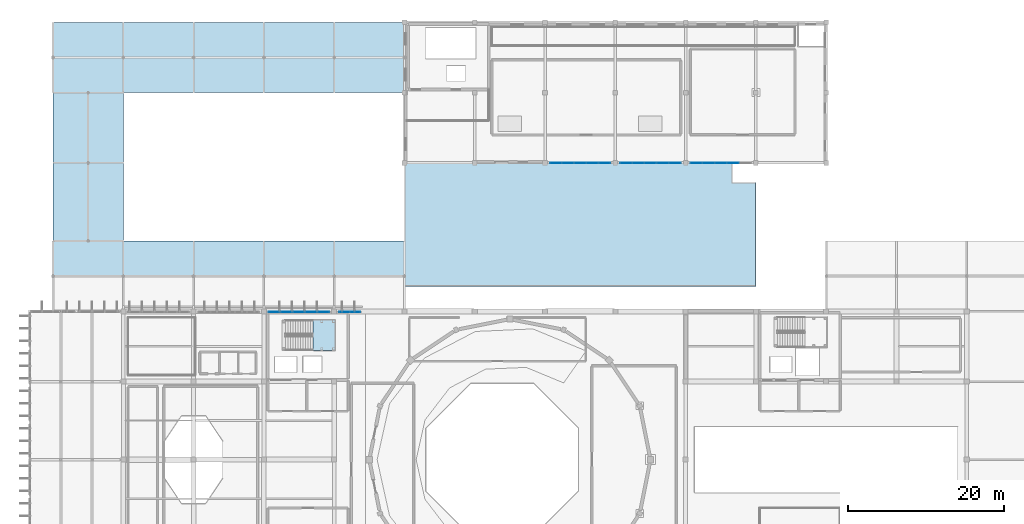
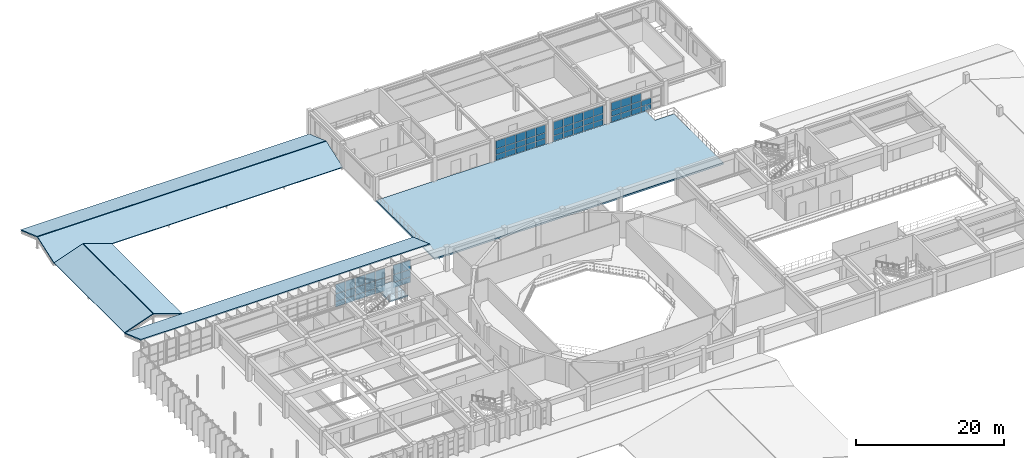
# One storey, part 64 of 80: 62 plates, 7 slabs, 6 elements without a shape of their own.
"""IFC4 building model written with IfcOpenShell, lengths in metres."""

from ifc_helpers import new_model, si_unit, direction, frame, origin, origin_2d, place, context, subcontext, project, spatial, polyline, rectangle, outline, extrude, material, layer, layer_set, type_object, element, aggregate, save


model = new_model("IFC4")

# Units and contexts
model_context = context("Model", 3, precision=1e-05, world=origin(), true_north=direction((0.0, 1.0)))
body_context = subcontext(model_context, "Body", "Model", "MODEL_VIEW")
ifc_project = project(units=[si_unit("LENGTHUNIT", "METRE"), si_unit("AREAUNIT", "SQUARE_METRE"), si_unit("VOLUMEUNIT", "CUBIC_METRE"), si_unit("PLANEANGLEUNIT", "RADIAN"), si_unit("MASSUNIT", "GRAM", prefix="KILO")], contexts=[model_context])

# Site, building, storey
site_placement = place(None, origin())
site = spatial("IfcSite", under=ifc_project, at=site_placement, CompositionType="ELEMENT")
building_placement = place(site_placement, origin())
building = spatial("IfcBuilding", under=site, at=building_placement, Name="Miravela Opera House", CompositionType="ELEMENT")
storey_placement = place(building_placement, frame((0.0, 0.0, 17.679931640625)))
storey = spatial("IfcBuildingStorey", under=building, at=storey_placement, Name="L04", CompositionType="ELEMENT", Elevation=17.679931640625)

# Curtain wall, plates
ifc_material_1 = material(Name="Anodised architectural bronze aluminium 6063-T6", Category="aluminium")
curtain_wall_type_1 = type_object("IfcCurtainWallType", Name="ARC-CW-08", PredefinedType="NOTDEFINED", material=ifc_material_1)
curtain_wall_1_placement = place(storey_placement, origin())
curtain_wall_1 = element("IfcCurtainWall", 1, at=curtain_wall_1_placement, inside=storey, type_object=curtain_wall_type_1, Name="Courtyard Arcade Curtain Wall CW-L04-204", PredefinedType="NOTDEFINED")
ifc_material_2 = material(Name="Acoustic laminated low-E insulating glass", Category="glass")
ifc_layer_1 = layer(ifc_material_2, 0.028076171875)
ifc_layer_set_1 = layer_set([ifc_layer_1])
plate_type_1 = type_object("IfcPlateType", Name="ARC-CWP-28", PredefinedType="CURTAIN_PANEL", material=ifc_layer_set_1)
plate_1_placement = place(storey_placement, frame((82.37890625, 94.0, 0.06005859375), z_axis=(0.0, 0.0, 1.0), x_axis=(1.0, 0.0, 0.0)))
plate_1 = element("IfcPlate", 2, at=plate_1_placement, type_object=plate_type_1, Name="CW-08 panel 1.1", PredefinedType="CURTAIN_PANEL", context=body_context, shape_type="SweptSolid", body=[
    extrude(rectangle(XDim=1.47802734375, YDim=0.028076171875, at=origin_2d()), origin(), (0.0, 0.0, 1.0), 0.860107421875),
])
plate_2_placement = place(storey_placement, frame((82.37890625, 94.0, 0.97998046875), z_axis=(0.0, 0.0, 1.0), x_axis=(1.0, 0.0, 0.0)))
plate_2 = element("IfcPlate", 3, at=plate_2_placement, type_object=plate_type_1, Name="CW-08 panel 1.2", PredefinedType="CURTAIN_PANEL", context=body_context, shape_type="SweptSolid", body=[
    extrude(rectangle(XDim=1.47802734375, YDim=0.028076171875, at=origin_2d()), origin(), (0.0, 0.0, 1.0), 0.898193359375),
])
plate_3_placement = place(storey_placement, frame((82.37890625, 94.0, 1.9384765625), z_axis=(0.0, 0.0, 1.0), x_axis=(1.0, 0.0, 0.0)))
plate_3 = element("IfcPlate", 4, at=plate_3_placement, type_object=plate_type_1, Name="CW-08 panel 1.3", PredefinedType="CURTAIN_PANEL", context=body_context, shape_type="SweptSolid", body=[
    extrude(rectangle(XDim=1.47802734375, YDim=0.028076171875, at=origin_2d()), origin(), (0.0, 0.0, 1.0), 1.291748046875),
])
plate_4_placement = place(storey_placement, frame((83.931884765625, 94.0, 0.06005859375), z_axis=(0.0, 0.0, 1.0), x_axis=(1.0, 0.0, 0.0)))
plate_4 = element("IfcPlate", 5, at=plate_4_placement, type_object=plate_type_1, Name="CW-08 panel 2.1", PredefinedType="CURTAIN_PANEL", context=body_context, shape_type="SweptSolid", body=[
    extrude(rectangle(XDim=1.508056640625, YDim=0.028076171875, at=origin_2d()), origin(), (0.0, 0.0, 1.0), 0.860107421875),
])
plate_5_placement = place(storey_placement, frame((83.931884765625, 94.0, 0.97998046875), z_axis=(0.0, 0.0, 1.0), x_axis=(1.0, 0.0, 0.0)))
plate_5 = element("IfcPlate", 6, at=plate_5_placement, type_object=plate_type_1, Name="CW-08 panel 2.2", PredefinedType="CURTAIN_PANEL", context=body_context, shape_type="SweptSolid", body=[
    extrude(rectangle(XDim=1.508056640625, YDim=0.028076171875, at=origin_2d()), origin(), (0.0, 0.0, 1.0), 0.898193359375),
])
plate_6_placement = place(storey_placement, frame((83.931884765625, 94.0, 1.9384765625), z_axis=(0.0, 0.0, 1.0), x_axis=(1.0, 0.0, 0.0)))
plate_6 = element("IfcPlate", 7, at=plate_6_placement, type_object=plate_type_1, Name="CW-08 panel 2.3", PredefinedType="CURTAIN_PANEL", context=body_context, shape_type="SweptSolid", body=[
    extrude(rectangle(XDim=1.508056640625, YDim=0.028076171875, at=origin_2d()), origin(), (0.0, 0.0, 1.0), 1.291748046875),
])
plate_7_placement = place(storey_placement, frame((85.5, 94.0, 0.06005859375), z_axis=(0.0, 0.0, 1.0), x_axis=(1.0, 0.0, 0.0)))
plate_7 = element("IfcPlate", 8, at=plate_7_placement, type_object=plate_type_1, Name="CW-08 panel 3.1", PredefinedType="CURTAIN_PANEL", context=body_context, shape_type="SweptSolid", body=[
    extrude(rectangle(XDim=1.508056640625, YDim=0.028076171875, at=origin_2d()), origin(), (0.0, 0.0, 1.0), 0.860107421875),
])
plate_8_placement = place(storey_placement, frame((85.5, 94.0, 0.97998046875), z_axis=(0.0, 0.0, 1.0), x_axis=(1.0, 0.0, 0.0)))
plate_8 = element("IfcPlate", 9, at=plate_8_placement, type_object=plate_type_1, Name="CW-08 panel 3.2", PredefinedType="CURTAIN_PANEL", context=body_context, shape_type="SweptSolid", body=[
    extrude(rectangle(XDim=1.508056640625, YDim=0.028076171875, at=origin_2d()), origin(), (0.0, 0.0, 1.0), 0.898193359375),
])
plate_9_placement = place(storey_placement, frame((85.5, 94.0, 1.9384765625), z_axis=(0.0, 0.0, 1.0), x_axis=(1.0, 0.0, 0.0)))
plate_9 = element("IfcPlate", 10, at=plate_9_placement, type_object=plate_type_1, Name="CW-08 panel 3.3", PredefinedType="CURTAIN_PANEL", context=body_context, shape_type="SweptSolid", body=[
    extrude(rectangle(XDim=1.508056640625, YDim=0.028076171875, at=origin_2d()), origin(), (0.0, 0.0, 1.0), 1.291748046875),
])
plate_10_placement = place(storey_placement, frame((87.068115234375, 94.0, 0.06005859375), z_axis=(0.0, 0.0, 1.0), x_axis=(1.0, 0.0, 0.0)))
plate_10 = element("IfcPlate", 11, at=plate_10_placement, type_object=plate_type_1, Name="CW-08 panel 4.1", PredefinedType="CURTAIN_PANEL", context=body_context, shape_type="SweptSolid", body=[
    extrude(rectangle(XDim=1.508056640625, YDim=0.028076171875, at=origin_2d()), origin(), (0.0, 0.0, 1.0), 0.860107421875),
])
plate_11_placement = place(storey_placement, frame((87.068115234375, 94.0, 0.97998046875), z_axis=(0.0, 0.0, 1.0), x_axis=(1.0, 0.0, 0.0)))
plate_11 = element("IfcPlate", 12, at=plate_11_placement, type_object=plate_type_1, Name="CW-08 panel 4.2", PredefinedType="CURTAIN_PANEL", context=body_context, shape_type="SweptSolid", body=[
    extrude(rectangle(XDim=1.508056640625, YDim=0.028076171875, at=origin_2d()), origin(), (0.0, 0.0, 1.0), 0.898193359375),
])
plate_12_placement = place(storey_placement, frame((87.068115234375, 94.0, 1.9384765625), z_axis=(0.0, 0.0, 1.0), x_axis=(1.0, 0.0, 0.0)))
plate_12 = element("IfcPlate", 13, at=plate_12_placement, type_object=plate_type_1, Name="CW-08 panel 4.3", PredefinedType="CURTAIN_PANEL", context=body_context, shape_type="SweptSolid", body=[
    extrude(rectangle(XDim=1.508056640625, YDim=0.028076171875, at=origin_2d()), origin(), (0.0, 0.0, 1.0), 1.291748046875),
])
plate_13_placement = place(storey_placement, frame((88.62109375, 94.0, 0.06005859375), z_axis=(0.0, 0.0, 1.0), x_axis=(1.0, 0.0, 0.0)))
plate_13 = element("IfcPlate", 14, at=plate_13_placement, type_object=plate_type_1, Name="CW-08 panel 5.1", PredefinedType="CURTAIN_PANEL", context=body_context, shape_type="SweptSolid", body=[
    extrude(rectangle(XDim=1.47802734375, YDim=0.028076171875, at=origin_2d()), origin(), (0.0, 0.0, 1.0), 0.860107421875),
])
plate_14_placement = place(storey_placement, frame((88.62109375, 94.0, 0.97998046875), z_axis=(0.0, 0.0, 1.0), x_axis=(1.0, 0.0, 0.0)))
plate_14 = element("IfcPlate", 15, at=plate_14_placement, type_object=plate_type_1, Name="CW-08 panel 5.2", PredefinedType="CURTAIN_PANEL", context=body_context, shape_type="SweptSolid", body=[
    extrude(rectangle(XDim=1.47802734375, YDim=0.028076171875, at=origin_2d()), origin(), (0.0, 0.0, 1.0), 0.898193359375),
])
plate_15_placement = place(storey_placement, frame((88.62109375, 94.0, 1.9384765625), z_axis=(0.0, 0.0, 1.0), x_axis=(1.0, 0.0, 0.0)))
plate_15 = element("IfcPlate", 16, at=plate_15_placement, type_object=plate_type_1, Name="CW-08 panel 5.3", PredefinedType="CURTAIN_PANEL", context=body_context, shape_type="SweptSolid", body=[
    extrude(rectangle(XDim=1.47802734375, YDim=0.028076171875, at=origin_2d()), origin(), (0.0, 0.0, 1.0), 1.291748046875),
])
aggregate(curtain_wall_1, [plate_1, plate_2, plate_3, plate_4, plate_5, plate_6, plate_7, plate_8, plate_9, plate_10, plate_11, plate_12, plate_13, plate_14, plate_15])

curtain_wall_2_placement = place(storey_placement, origin())
curtain_wall_2 = element("IfcCurtainWall", 17, at=curtain_wall_2_placement, inside=storey, type_object=curtain_wall_type_1, Name="Courtyard Arcade Curtain Wall CW-L04-205", PredefinedType="NOTDEFINED")
plate_16_placement = place(storey_placement, frame((91.37890625, 94.0, 0.06005859375), z_axis=(0.0, 0.0, 1.0), x_axis=(1.0, 0.0, 0.0)))
plate_16 = element("IfcPlate", 18, at=plate_16_placement, type_object=plate_type_1, Name="CW-08 panel 1.1", PredefinedType="CURTAIN_PANEL", context=body_context, shape_type="SweptSolid", body=[
    extrude(rectangle(XDim=1.47802734375, YDim=0.028076171875, at=origin_2d()), origin(), (0.0, 0.0, 1.0), 0.860107421875),
])
plate_17_placement = place(storey_placement, frame((91.37890625, 94.0, 0.97998046875), z_axis=(0.0, 0.0, 1.0), x_axis=(1.0, 0.0, 0.0)))
plate_17 = element("IfcPlate", 19, at=plate_17_placement, type_object=plate_type_1, Name="CW-08 panel 1.2", PredefinedType="CURTAIN_PANEL", context=body_context, shape_type="SweptSolid", body=[
    extrude(rectangle(XDim=1.47802734375, YDim=0.028076171875, at=origin_2d()), origin(), (0.0, 0.0, 1.0), 0.898193359375),
])
plate_18_placement = place(storey_placement, frame((91.37890625, 94.0, 1.9384765625), z_axis=(0.0, 0.0, 1.0), x_axis=(1.0, 0.0, 0.0)))
plate_18 = element("IfcPlate", 20, at=plate_18_placement, type_object=plate_type_1, Name="CW-08 panel 1.3", PredefinedType="CURTAIN_PANEL", context=body_context, shape_type="SweptSolid", body=[
    extrude(rectangle(XDim=1.47802734375, YDim=0.028076171875, at=origin_2d()), origin(), (0.0, 0.0, 1.0), 1.291748046875),
])
plate_19_placement = place(storey_placement, frame((92.931884765625, 94.0, 0.06005859375), z_axis=(0.0, 0.0, 1.0), x_axis=(1.0, 0.0, 0.0)))
plate_19 = element("IfcPlate", 21, at=plate_19_placement, type_object=plate_type_1, Name="CW-08 panel 2.1", PredefinedType="CURTAIN_PANEL", context=body_context, shape_type="SweptSolid", body=[
    extrude(rectangle(XDim=1.508056640625, YDim=0.028076171875, at=origin_2d()), origin(), (0.0, 0.0, 1.0), 0.860107421875),
])
plate_20_placement = place(storey_placement, frame((92.931884765625, 94.0, 0.97998046875), z_axis=(0.0, 0.0, 1.0), x_axis=(1.0, 0.0, 0.0)))
plate_20 = element("IfcPlate", 22, at=plate_20_placement, type_object=plate_type_1, Name="CW-08 panel 2.2", PredefinedType="CURTAIN_PANEL", context=body_context, shape_type="SweptSolid", body=[
    extrude(rectangle(XDim=1.508056640625, YDim=0.028076171875, at=origin_2d()), origin(), (0.0, 0.0, 1.0), 0.898193359375),
])
plate_21_placement = place(storey_placement, frame((92.931884765625, 94.0, 1.9384765625), z_axis=(0.0, 0.0, 1.0), x_axis=(1.0, 0.0, 0.0)))
plate_21 = element("IfcPlate", 23, at=plate_21_placement, type_object=plate_type_1, Name="CW-08 panel 2.3", PredefinedType="CURTAIN_PANEL", context=body_context, shape_type="SweptSolid", body=[
    extrude(rectangle(XDim=1.508056640625, YDim=0.028076171875, at=origin_2d()), origin(), (0.0, 0.0, 1.0), 1.291748046875),
])
plate_22_placement = place(storey_placement, frame((94.5, 94.0, 0.06005859375), z_axis=(0.0, 0.0, 1.0), x_axis=(1.0, 0.0, 0.0)))
plate_22 = element("IfcPlate", 24, at=plate_22_placement, type_object=plate_type_1, Name="CW-08 panel 3.1", PredefinedType="CURTAIN_PANEL", context=body_context, shape_type="SweptSolid", body=[
    extrude(rectangle(XDim=1.508056640625, YDim=0.028076171875, at=origin_2d()), origin(), (0.0, 0.0, 1.0), 0.860107421875),
])
plate_23_placement = place(storey_placement, frame((94.5, 94.0, 0.97998046875), z_axis=(0.0, 0.0, 1.0), x_axis=(1.0, 0.0, 0.0)))
plate_23 = element("IfcPlate", 25, at=plate_23_placement, type_object=plate_type_1, Name="CW-08 panel 3.2", PredefinedType="CURTAIN_PANEL", context=body_context, shape_type="SweptSolid", body=[
    extrude(rectangle(XDim=1.508056640625, YDim=0.028076171875, at=origin_2d()), origin(), (0.0, 0.0, 1.0), 0.898193359375),
])
plate_24_placement = place(storey_placement, frame((94.5, 94.0, 1.9384765625), z_axis=(0.0, 0.0, 1.0), x_axis=(1.0, 0.0, 0.0)))
plate_24 = element("IfcPlate", 26, at=plate_24_placement, type_object=plate_type_1, Name="CW-08 panel 3.3", PredefinedType="CURTAIN_PANEL", context=body_context, shape_type="SweptSolid", body=[
    extrude(rectangle(XDim=1.508056640625, YDim=0.028076171875, at=origin_2d()), origin(), (0.0, 0.0, 1.0), 1.291748046875),
])
plate_25_placement = place(storey_placement, frame((96.068115234375, 94.0, 0.06005859375), z_axis=(0.0, 0.0, 1.0), x_axis=(1.0, 0.0, 0.0)))
plate_25 = element("IfcPlate", 27, at=plate_25_placement, type_object=plate_type_1, Name="CW-08 panel 4.1", PredefinedType="CURTAIN_PANEL", context=body_context, shape_type="SweptSolid", body=[
    extrude(rectangle(XDim=1.508056640625, YDim=0.028076171875, at=origin_2d()), origin(), (0.0, 0.0, 1.0), 0.860107421875),
])
plate_26_placement = place(storey_placement, frame((96.068115234375, 94.0, 0.97998046875), z_axis=(0.0, 0.0, 1.0), x_axis=(1.0, 0.0, 0.0)))
plate_26 = element("IfcPlate", 28, at=plate_26_placement, type_object=plate_type_1, Name="CW-08 panel 4.2", PredefinedType="CURTAIN_PANEL", context=body_context, shape_type="SweptSolid", body=[
    extrude(rectangle(XDim=1.508056640625, YDim=0.028076171875, at=origin_2d()), origin(), (0.0, 0.0, 1.0), 0.898193359375),
])
plate_27_placement = place(storey_placement, frame((96.068115234375, 94.0, 1.9384765625), z_axis=(0.0, 0.0, 1.0), x_axis=(1.0, 0.0, 0.0)))
plate_27 = element("IfcPlate", 29, at=plate_27_placement, type_object=plate_type_1, Name="CW-08 panel 4.3", PredefinedType="CURTAIN_PANEL", context=body_context, shape_type="SweptSolid", body=[
    extrude(rectangle(XDim=1.508056640625, YDim=0.028076171875, at=origin_2d()), origin(), (0.0, 0.0, 1.0), 1.291748046875),
])
plate_28_placement = place(storey_placement, frame((97.62109375, 94.0, 0.06005859375), z_axis=(0.0, 0.0, 1.0), x_axis=(1.0, 0.0, 0.0)))
plate_28 = element("IfcPlate", 30, at=plate_28_placement, type_object=plate_type_1, Name="CW-08 panel 5.1", PredefinedType="CURTAIN_PANEL", context=body_context, shape_type="SweptSolid", body=[
    extrude(rectangle(XDim=1.47802734375, YDim=0.028076171875, at=origin_2d()), origin(), (0.0, 0.0, 1.0), 0.860107421875),
])
plate_29_placement = place(storey_placement, frame((97.62109375, 94.0, 0.97998046875), z_axis=(0.0, 0.0, 1.0), x_axis=(1.0, 0.0, 0.0)))
plate_29 = element("IfcPlate", 31, at=plate_29_placement, type_object=plate_type_1, Name="CW-08 panel 5.2", PredefinedType="CURTAIN_PANEL", context=body_context, shape_type="SweptSolid", body=[
    extrude(rectangle(XDim=1.47802734375, YDim=0.028076171875, at=origin_2d()), origin(), (0.0, 0.0, 1.0), 0.898193359375),
])
plate_30_placement = place(storey_placement, frame((97.62109375, 94.0, 1.9384765625), z_axis=(0.0, 0.0, 1.0), x_axis=(1.0, 0.0, 0.0)))
plate_30 = element("IfcPlate", 32, at=plate_30_placement, type_object=plate_type_1, Name="CW-08 panel 5.3", PredefinedType="CURTAIN_PANEL", context=body_context, shape_type="SweptSolid", body=[
    extrude(rectangle(XDim=1.47802734375, YDim=0.028076171875, at=origin_2d()), origin(), (0.0, 0.0, 1.0), 1.291748046875),
])
aggregate(curtain_wall_2, [plate_16, plate_17, plate_18, plate_19, plate_20, plate_21, plate_22, plate_23, plate_24, plate_25, plate_26, plate_27, plate_28, plate_29, plate_30])

curtain_wall_3_placement = place(storey_placement, origin())
curtain_wall_3 = element("IfcCurtainWall", 33, at=curtain_wall_3_placement, inside=storey, type_object=curtain_wall_type_1, Name="Courtyard Arcade Curtain Wall CW-L04-206", PredefinedType="NOTDEFINED")
plate_31_placement = place(storey_placement, frame((100.37890625, 94.0, 0.06005859375), z_axis=(0.0, 0.0, 1.0), x_axis=(1.0, 0.0, 0.0)))
plate_31 = element("IfcPlate", 34, at=plate_31_placement, type_object=plate_type_1, Name="CW-08 panel 1.1", PredefinedType="CURTAIN_PANEL", context=body_context, shape_type="SweptSolid", body=[
    extrude(rectangle(XDim=1.47802734375, YDim=0.028076171875, at=origin_2d()), origin(), (0.0, 0.0, 1.0), 0.860107421875),
])
plate_32_placement = place(storey_placement, frame((100.37890625, 94.0, 0.97998046875), z_axis=(0.0, 0.0, 1.0), x_axis=(1.0, 0.0, 0.0)))
plate_32 = element("IfcPlate", 35, at=plate_32_placement, type_object=plate_type_1, Name="CW-08 panel 1.2", PredefinedType="CURTAIN_PANEL", context=body_context, shape_type="SweptSolid", body=[
    extrude(rectangle(XDim=1.47802734375, YDim=0.028076171875, at=origin_2d()), origin(), (0.0, 0.0, 1.0), 0.898193359375),
])
plate_33_placement = place(storey_placement, frame((100.37890625, 94.0, 1.9384765625), z_axis=(0.0, 0.0, 1.0), x_axis=(1.0, 0.0, 0.0)))
plate_33 = element("IfcPlate", 36, at=plate_33_placement, type_object=plate_type_1, Name="CW-08 panel 1.3", PredefinedType="CURTAIN_PANEL", context=body_context, shape_type="SweptSolid", body=[
    extrude(rectangle(XDim=1.47802734375, YDim=0.028076171875, at=origin_2d()), origin(), (0.0, 0.0, 1.0), 1.291748046875),
])
plate_34_placement = place(storey_placement, frame((101.931884765625, 94.0, 0.06005859375), z_axis=(0.0, 0.0, 1.0), x_axis=(1.0, 0.0, 0.0)))
plate_34 = element("IfcPlate", 37, at=plate_34_placement, type_object=plate_type_1, Name="CW-08 panel 2.1", PredefinedType="CURTAIN_PANEL", context=body_context, shape_type="SweptSolid", body=[
    extrude(rectangle(XDim=1.508056640625, YDim=0.028076171875, at=origin_2d()), origin(), (0.0, 0.0, 1.0), 0.860107421875),
])
plate_35_placement = place(storey_placement, frame((101.931884765625, 94.0, 0.97998046875), z_axis=(0.0, 0.0, 1.0), x_axis=(1.0, 0.0, 0.0)))
plate_35 = element("IfcPlate", 38, at=plate_35_placement, type_object=plate_type_1, Name="CW-08 panel 2.2", PredefinedType="CURTAIN_PANEL", context=body_context, shape_type="SweptSolid", body=[
    extrude(rectangle(XDim=1.508056640625, YDim=0.028076171875, at=origin_2d()), origin(), (0.0, 0.0, 1.0), 0.898193359375),
])
plate_36_placement = place(storey_placement, frame((101.931884765625, 94.0, 1.9384765625), z_axis=(0.0, 0.0, 1.0), x_axis=(1.0, 0.0, 0.0)))
plate_36 = element("IfcPlate", 39, at=plate_36_placement, type_object=plate_type_1, Name="CW-08 panel 2.3", PredefinedType="CURTAIN_PANEL", context=body_context, shape_type="SweptSolid", body=[
    extrude(rectangle(XDim=1.508056640625, YDim=0.028076171875, at=origin_2d()), origin(), (0.0, 0.0, 1.0), 1.291748046875),
])
plate_37_placement = place(storey_placement, frame((103.5, 94.0, 0.06005859375), z_axis=(0.0, 0.0, 1.0), x_axis=(1.0, 0.0, 0.0)))
plate_37 = element("IfcPlate", 40, at=plate_37_placement, type_object=plate_type_1, Name="CW-08 panel 3.1", PredefinedType="CURTAIN_PANEL", context=body_context, shape_type="SweptSolid", body=[
    extrude(rectangle(XDim=1.508056640625, YDim=0.028076171875, at=origin_2d()), origin(), (0.0, 0.0, 1.0), 0.860107421875),
])
plate_38_placement = place(storey_placement, frame((103.5, 94.0, 0.97998046875), z_axis=(0.0, 0.0, 1.0), x_axis=(1.0, 0.0, 0.0)))
plate_38 = element("IfcPlate", 41, at=plate_38_placement, type_object=plate_type_1, Name="CW-08 panel 3.2", PredefinedType="CURTAIN_PANEL", context=body_context, shape_type="SweptSolid", body=[
    extrude(rectangle(XDim=1.508056640625, YDim=0.028076171875, at=origin_2d()), origin(), (0.0, 0.0, 1.0), 0.898193359375),
])
plate_39_placement = place(storey_placement, frame((103.5, 94.0, 1.9384765625), z_axis=(0.0, 0.0, 1.0), x_axis=(1.0, 0.0, 0.0)))
plate_39 = element("IfcPlate", 42, at=plate_39_placement, type_object=plate_type_1, Name="CW-08 panel 3.3", PredefinedType="CURTAIN_PANEL", context=body_context, shape_type="SweptSolid", body=[
    extrude(rectangle(XDim=1.508056640625, YDim=0.028076171875, at=origin_2d()), origin(), (0.0, 0.0, 1.0), 1.291748046875),
])
plate_40_placement = place(storey_placement, frame((105.068115234375, 94.0, 0.06005859375), z_axis=(0.0, 0.0, 1.0), x_axis=(1.0, 0.0, 0.0)))
plate_40 = element("IfcPlate", 43, at=plate_40_placement, type_object=plate_type_1, Name="CW-08 panel 4.1", PredefinedType="CURTAIN_PANEL", context=body_context, shape_type="SweptSolid", body=[
    extrude(rectangle(XDim=1.508056640625, YDim=0.028076171875, at=origin_2d()), origin(), (0.0, 0.0, 1.0), 0.860107421875),
])
plate_41_placement = place(storey_placement, frame((105.068115234375, 94.0, 0.97998046875), z_axis=(0.0, 0.0, 1.0), x_axis=(1.0, 0.0, 0.0)))
plate_41 = element("IfcPlate", 44, at=plate_41_placement, type_object=plate_type_1, Name="CW-08 panel 4.2", PredefinedType="CURTAIN_PANEL", context=body_context, shape_type="SweptSolid", body=[
    extrude(rectangle(XDim=1.508056640625, YDim=0.028076171875, at=origin_2d()), origin(), (0.0, 0.0, 1.0), 0.898193359375),
])
aggregate(curtain_wall_3, [plate_31, plate_32, plate_33, plate_34, plate_35, plate_36, plate_37, plate_38, plate_39, plate_40, plate_41])

curtain_wall_type_2 = type_object("IfcCurtainWallType", Name="ARC-CW-02", PredefinedType="NOTDEFINED", material=ifc_material_1)
curtain_wall_4_placement = place(storey_placement, origin())
curtain_wall_4 = element("IfcCurtainWall", 45, at=curtain_wall_4_placement, inside=storey, type_object=curtain_wall_type_2, Name="Auditorium North Wrapper Glazing CW-L04-043", PredefinedType="NOTDEFINED")
ifc_material_3 = material(Name="Triple-glazed acoustic laminated low-E glass", Category="glass")
ifc_layer_2 = layer(ifc_material_3, 0.035888671875)
ifc_layer_set_2 = layer_set([ifc_layer_2])
plate_type_2 = type_object("IfcPlateType", Name="ARC-CWP-36", PredefinedType="CURTAIN_PANEL", material=ifc_layer_set_2)
plate_42_placement = place(storey_placement, frame((46.38037109375, 74.919921875, 0.06494140625), z_axis=(0.0, 0.0, 1.0), x_axis=(1.0, 0.0, 0.0)))
plate_42 = element("IfcPlate", 46, at=plate_42_placement, type_object=plate_type_2, Name="CW-02 panel 1.1", PredefinedType="CURTAIN_PANEL", context=body_context, shape_type="SweptSolid", body=[
    extrude(rectangle(XDim=1.470458984375, YDim=0.035888671875, at=origin_2d()), origin(), (0.0, 0.0, 1.0), 0.8525390625),
])
plate_43_placement = place(storey_placement, frame((46.38037109375, 74.919921875, 0.982421875), z_axis=(0.0, 0.0, 1.0), x_axis=(1.0, 0.0, 0.0)))
plate_43 = element("IfcPlate", 47, at=plate_43_placement, type_object=plate_type_2, Name="CW-02 panel 1.2", PredefinedType="CURTAIN_PANEL", context=body_context, shape_type="SweptSolid", body=[
    extrude(rectangle(XDim=1.470458984375, YDim=0.035888671875, at=origin_2d()), origin(), (0.0, 0.0, 1.0), 1.20068359375),
])
plate_44_placement = place(storey_placement, frame((46.38037109375, 74.919921875, 2.248291015625), z_axis=(0.0, 0.0, 1.0), x_axis=(1.0, 0.0, 0.0)))
plate_44 = element("IfcPlate", 48, at=plate_44_placement, type_object=plate_type_2, Name="CW-02 panel 1.3", PredefinedType="CURTAIN_PANEL", context=body_context, shape_type="SweptSolid", body=[
    extrude(rectangle(XDim=1.470458984375, YDim=0.035888671875, at=origin_2d()), origin(), (0.0, 0.0, 1.0), 1.5068359375),
])
plate_45_placement = place(storey_placement, frame((47.931884765625, 74.919921875, 0.06494140625), z_axis=(0.0, 0.0, 1.0), x_axis=(1.0, 0.0, 0.0)))
plate_45 = element("IfcPlate", 49, at=plate_45_placement, type_object=plate_type_2, Name="CW-02 panel 2.1", PredefinedType="CURTAIN_PANEL", context=body_context, shape_type="SweptSolid", body=[
    extrude(rectangle(XDim=1.5029296875, YDim=0.035888671875, at=origin_2d()), origin(), (0.0, 0.0, 1.0), 0.8525390625),
])
plate_46_placement = place(storey_placement, frame((47.931884765625, 74.919921875, 0.982421875), z_axis=(0.0, 0.0, 1.0), x_axis=(1.0, 0.0, 0.0)))
plate_46 = element("IfcPlate", 50, at=plate_46_placement, type_object=plate_type_2, Name="CW-02 panel 2.2", PredefinedType="CURTAIN_PANEL", context=body_context, shape_type="SweptSolid", body=[
    extrude(rectangle(XDim=1.5029296875, YDim=0.035888671875, at=origin_2d()), origin(), (0.0, 0.0, 1.0), 1.20068359375),
])
plate_47_placement = place(storey_placement, frame((47.931884765625, 74.919921875, 2.248291015625), z_axis=(0.0, 0.0, 1.0), x_axis=(1.0, 0.0, 0.0)))
plate_47 = element("IfcPlate", 51, at=plate_47_placement, type_object=plate_type_2, Name="CW-02 panel 2.3", PredefinedType="CURTAIN_PANEL", context=body_context, shape_type="SweptSolid", body=[
    extrude(rectangle(XDim=1.5029296875, YDim=0.035888671875, at=origin_2d()), origin(), (0.0, 0.0, 1.0), 1.5068359375),
])
plate_48_placement = place(storey_placement, frame((49.5, 74.919921875, 0.06494140625), z_axis=(0.0, 0.0, 1.0), x_axis=(1.0, 0.0, 0.0)))
plate_48 = element("IfcPlate", 52, at=plate_48_placement, type_object=plate_type_2, Name="CW-02 panel 3.1", PredefinedType="CURTAIN_PANEL", context=body_context, shape_type="SweptSolid", body=[
    extrude(rectangle(XDim=1.5029296875, YDim=0.035888671875, at=origin_2d()), origin(), (0.0, 0.0, 1.0), 0.8525390625),
])
plate_49_placement = place(storey_placement, frame((49.5, 74.919921875, 0.982421875), z_axis=(0.0, 0.0, 1.0), x_axis=(1.0, 0.0, 0.0)))
plate_49 = element("IfcPlate", 53, at=plate_49_placement, type_object=plate_type_2, Name="CW-02 panel 3.2", PredefinedType="CURTAIN_PANEL", context=body_context, shape_type="SweptSolid", body=[
    extrude(rectangle(XDim=1.5029296875, YDim=0.035888671875, at=origin_2d()), origin(), (0.0, 0.0, 1.0), 1.20068359375),
])
plate_50_placement = place(storey_placement, frame((49.5, 74.919921875, 2.248291015625), z_axis=(0.0, 0.0, 1.0), x_axis=(1.0, 0.0, 0.0)))
plate_50 = element("IfcPlate", 54, at=plate_50_placement, type_object=plate_type_2, Name="CW-02 panel 3.3", PredefinedType="CURTAIN_PANEL", context=body_context, shape_type="SweptSolid", body=[
    extrude(rectangle(XDim=1.5029296875, YDim=0.035888671875, at=origin_2d()), origin(), (0.0, 0.0, 1.0), 1.5068359375),
])
plate_51_placement = place(storey_placement, frame((51.068115234375, 74.919921875, 0.06494140625), z_axis=(0.0, 0.0, 1.0), x_axis=(1.0, 0.0, 0.0)))
plate_51 = element("IfcPlate", 55, at=plate_51_placement, type_object=plate_type_2, Name="CW-02 panel 4.1", PredefinedType="CURTAIN_PANEL", context=body_context, shape_type="SweptSolid", body=[
    extrude(rectangle(XDim=1.5029296875, YDim=0.035888671875, at=origin_2d()), origin(), (0.0, 0.0, 1.0), 0.8525390625),
])
plate_52_placement = place(storey_placement, frame((51.068115234375, 74.919921875, 0.982421875), z_axis=(0.0, 0.0, 1.0), x_axis=(1.0, 0.0, 0.0)))
plate_52 = element("IfcPlate", 56, at=plate_52_placement, type_object=plate_type_2, Name="CW-02 panel 4.2", PredefinedType="CURTAIN_PANEL", context=body_context, shape_type="SweptSolid", body=[
    extrude(rectangle(XDim=1.5029296875, YDim=0.035888671875, at=origin_2d()), origin(), (0.0, 0.0, 1.0), 1.20068359375),
])
plate_53_placement = place(storey_placement, frame((51.068115234375, 74.919921875, 2.248291015625), z_axis=(0.0, 0.0, 1.0), x_axis=(1.0, 0.0, 0.0)))
plate_53 = element("IfcPlate", 57, at=plate_53_placement, type_object=plate_type_2, Name="CW-02 panel 4.3", PredefinedType="CURTAIN_PANEL", context=body_context, shape_type="SweptSolid", body=[
    extrude(rectangle(XDim=1.5029296875, YDim=0.035888671875, at=origin_2d()), origin(), (0.0, 0.0, 1.0), 1.5068359375),
])
plate_54_placement = place(storey_placement, frame((52.61962890625, 74.919921875, 0.06494140625), z_axis=(0.0, 0.0, 1.0), x_axis=(1.0, 0.0, 0.0)))
plate_54 = element("IfcPlate", 58, at=plate_54_placement, type_object=plate_type_2, Name="CW-02 panel 5.1", PredefinedType="CURTAIN_PANEL", context=body_context, shape_type="SweptSolid", body=[
    extrude(rectangle(XDim=1.470458984375, YDim=0.035888671875, at=origin_2d()), origin(), (0.0, 0.0, 1.0), 0.8525390625),
])
plate_55_placement = place(storey_placement, frame((52.61962890625, 74.919921875, 0.982421875), z_axis=(0.0, 0.0, 1.0), x_axis=(1.0, 0.0, 0.0)))
plate_55 = element("IfcPlate", 59, at=plate_55_placement, type_object=plate_type_2, Name="CW-02 panel 5.2", PredefinedType="CURTAIN_PANEL", context=body_context, shape_type="SweptSolid", body=[
    extrude(rectangle(XDim=1.470458984375, YDim=0.035888671875, at=origin_2d()), origin(), (0.0, 0.0, 1.0), 1.20068359375),
])
plate_56_placement = place(storey_placement, frame((52.61962890625, 74.919921875, 2.248291015625), z_axis=(0.0, 0.0, 1.0), x_axis=(1.0, 0.0, 0.0)))
plate_56 = element("IfcPlate", 60, at=plate_56_placement, type_object=plate_type_2, Name="CW-02 panel 5.3", PredefinedType="CURTAIN_PANEL", context=body_context, shape_type="SweptSolid", body=[
    extrude(rectangle(XDim=1.470458984375, YDim=0.035888671875, at=origin_2d()), origin(), (0.0, 0.0, 1.0), 1.5068359375),
])
aggregate(curtain_wall_4, [plate_42, plate_43, plate_44, plate_45, plate_46, plate_47, plate_48, plate_49, plate_50, plate_51, plate_52, plate_53, plate_54, plate_55, plate_56])

curtain_wall_5_placement = place(storey_placement, origin())
curtain_wall_5 = element("IfcCurtainWall", 61, at=curtain_wall_5_placement, inside=storey, type_object=curtain_wall_type_2, Name="Auditorium North Wrapper Glazing CW-L04-045", PredefinedType="NOTDEFINED")
plate_57_placement = place(storey_placement, frame((55.30615234375, 74.919921875, 0.06494140625), z_axis=(0.0, 0.0, 1.0), x_axis=(1.0, 0.0, 0.0)))
plate_57 = element("IfcPlate", 62, at=plate_57_placement, type_object=plate_type_2, Name="CW-02 panel 1.1", PredefinedType="CURTAIN_PANEL", context=body_context, shape_type="SweptSolid", body=[
    extrude(rectangle(XDim=1.322509765625, YDim=0.035888671875, at=origin_2d()), origin(), (0.0, 0.0, 1.0), 0.8525390625),
])
plate_58_placement = place(storey_placement, frame((55.30615234375, 74.919921875, 0.982421875), z_axis=(0.0, 0.0, 1.0), x_axis=(1.0, 0.0, 0.0)))
plate_58 = element("IfcPlate", 63, at=plate_58_placement, type_object=plate_type_2, Name="CW-02 panel 1.2", PredefinedType="CURTAIN_PANEL", context=body_context, shape_type="SweptSolid", body=[
    extrude(rectangle(XDim=1.322509765625, YDim=0.035888671875, at=origin_2d()), origin(), (0.0, 0.0, 1.0), 1.20068359375),
])
plate_59_placement = place(storey_placement, frame((55.30615234375, 74.919921875, 2.248291015625), z_axis=(0.0, 0.0, 1.0), x_axis=(1.0, 0.0, 0.0)))
plate_59 = element("IfcPlate", 64, at=plate_59_placement, type_object=plate_type_2, Name="CW-02 panel 1.3", PredefinedType="CURTAIN_PANEL", context=body_context, shape_type="SweptSolid", body=[
    extrude(rectangle(XDim=1.322509765625, YDim=0.035888671875, at=origin_2d()), origin(), (0.0, 0.0, 1.0), 1.5068359375),
])
plate_60_placement = place(storey_placement, frame((56.69384765625, 74.919921875, 0.06494140625), z_axis=(0.0, 0.0, 1.0), x_axis=(1.0, 0.0, 0.0)))
plate_60 = element("IfcPlate", 65, at=plate_60_placement, type_object=plate_type_2, Name="CW-02 panel 2.1", PredefinedType="CURTAIN_PANEL", context=body_context, shape_type="SweptSolid", body=[
    extrude(rectangle(XDim=1.322509765625, YDim=0.035888671875, at=origin_2d()), origin(), (0.0, 0.0, 1.0), 0.8525390625),
])
plate_61_placement = place(storey_placement, frame((56.69384765625, 74.919921875, 0.982421875), z_axis=(0.0, 0.0, 1.0), x_axis=(1.0, 0.0, 0.0)))
plate_61 = element("IfcPlate", 66, at=plate_61_placement, type_object=plate_type_2, Name="CW-02 panel 2.2", PredefinedType="CURTAIN_PANEL", context=body_context, shape_type="SweptSolid", body=[
    extrude(rectangle(XDim=1.322509765625, YDim=0.035888671875, at=origin_2d()), origin(), (0.0, 0.0, 1.0), 1.20068359375),
])
plate_62_placement = place(storey_placement, frame((56.69384765625, 74.919921875, 2.248291015625), z_axis=(0.0, 0.0, 1.0), x_axis=(1.0, 0.0, 0.0)))
plate_62 = element("IfcPlate", 67, at=plate_62_placement, type_object=plate_type_2, Name="CW-02 panel 2.3", PredefinedType="CURTAIN_PANEL", context=body_context, shape_type="SweptSolid", body=[
    extrude(rectangle(XDim=1.322509765625, YDim=0.035888671875, at=origin_2d()), origin(), (0.0, 0.0, 1.0), 1.5068359375),
])
aggregate(curtain_wall_5, [plate_57, plate_58, plate_59, plate_60, plate_61, plate_62])

# Stair, slab
ifc_material_4 = material(Name="Concrete C35/45", Category="concrete")
stair_type = type_object("IfcStairType", Name="ARC-STAIR-CORE-1680", PredefinedType="HALF_TURN_STAIR", material=ifc_material_4)
stair_placement = place(storey_placement, origin())
stair = element("IfcStair", 68, at=stair_placement, inside=storey, type_object=stair_type, Name="L04 Core K1 North Foyer and Firefighting Core Exit Stair ST-01", PredefinedType="HALF_TURN_STAIR")
ifc_layer_3 = layer(ifc_material_4, 0.199951171875)
ifc_layer_set_3 = layer_set([ifc_layer_3])
slab_type_1 = type_object("IfcSlabType", Name="ARC-LANDING-200", PredefinedType="LANDING", material=ifc_layer_set_3)
slab_1_placement = place(storey_placement, frame((0.0, 0.0, 1.840087890625)))
slab_1 = element("IfcSlab", 69, at=slab_1_placement, type_object=slab_type_1, Name="ST-01 landing 1", PredefinedType="LANDING", context=body_context, shape_type="SweptSolid", body=[
    extrude(outline(polyline([(51.260009765625, 70.0), (54.10009765625, 70.0), (54.10009765625, 73.8798828125), (51.260009765625, 73.8798828125), (51.260009765625, 70.0)])), origin(), (0.0, 0.0, 1.0), 0.199951171875),
])
aggregate(stair, [slab_1])

# Slabs
ifc_layer_4 = layer(ifc_material_4, 0.169921875)
ifc_layer_set_4 = layer_set([ifc_layer_4])
slab_type_2 = type_object("IfcSlabType", Name="STR-ROOF-TILE-170", PredefinedType="ROOF", material=ifc_layer_set_4)
slab_2_placement = place(storey_placement, frame((63.0, 84.0, 0.0), z_axis=(0.0, 0.33502804432, 0.942208156152), x_axis=(-1.0, 0.0, 0.0)))
element("IfcSlab", 70, at=slab_2_placement, inside=storey, type_object=slab_type_2, Name="Pitched Clay Barrel-Tile Roof Slab ROOF-V3-WEST-S Slope 2", PredefinedType="ROOF", context=body_context, shape_type="SweptSolid", body=[
    extrude(outline(polyline([(0.0, 0.0), (45.0, 0.0), (45.0, 4.717713734859587), (0.0, 4.717713734859587), (0.0, 0.0)])), origin(), (0.0, 0.0, -1.0), 0.169921875),
])
for number, where, z_axis, x_axis, name in (
    (71, (18.0, 84.0, 0.0), (-0.33502804432, 0.0, 0.942208156152), (0.0, 1.0, 0.0), "Pitched Clay Barrel-Tile Roof Slab ROOF-V3-WEST-M Slope 1"),
    (72, (27.0, 103.0, 0.0), (0.33502804432, 0.0, 0.942208156152), (0.0, -1.0, 0.0), "Pitched Clay Barrel-Tile Roof Slab ROOF-V3-WEST-M Slope 2"),
):
    element("IfcSlab", number, at=place(storey_placement, frame(where, z_axis=z_axis, x_axis=x_axis)), inside=storey, type_object=slab_type_2, Name=name, PredefinedType="ROOF", context=body_context, shape_type="SweptSolid", body=[
        extrude(outline(polyline([(0.0, 0.0), (19.0, 0.0), (19.0, -4.717713734859587), (0.0, -4.717713734859587), (0.0, 0.0)])), origin(), (0.0, 0.0, -1.0), 0.169921875),
    ])
for number, where, z_axis, x_axis, name in (
    (73, (18.0, 103.0, 0.0), (0.0, -0.33502804432, 0.942208156152), (1.0, 0.0, 0.0), "Pitched Clay Barrel-Tile Roof Slab ROOF-V3-WEST-N Slope 1"),
    (74, (63.0, 112.0, 0.0), (0.0, 0.33502804432, 0.942208156152), (-1.0, 0.0, 0.0), "Pitched Clay Barrel-Tile Roof Slab ROOF-V3-WEST-N Slope 2"),
):
    element("IfcSlab", number, at=place(storey_placement, frame(where, z_axis=z_axis, x_axis=x_axis)), inside=storey, type_object=slab_type_2, Name=name, PredefinedType="ROOF", context=body_context, shape_type="SweptSolid", body=[
        extrude(outline(polyline([(0.0, 0.0), (45.0, 0.0), (45.0, 4.717713734859587), (0.0, 4.717713734859587), (0.0, 0.0)])), origin(), (0.0, 0.0, -1.0), 0.169921875),
    ])
ifc_layer_5 = layer(ifc_material_4, 0.27001953125)
ifc_layer_set_5 = layer_set([ifc_layer_5])
slab_type_3 = type_object("IfcSlabType", Name="STR-SLAB-TERR-270", PredefinedType="FLOOR", material=ifc_layer_set_5)
slab_3_placement = place(storey_placement, frame((0.0, 0.0, -0.27001953125)))
element("IfcSlab", 75, at=slab_3_placement, inside=storey, type_object=slab_type_3, Name="L04 North Setback Planted Roof Terrace Deck", PredefinedType="FLOOR", context=body_context, shape_type="SweptSolid", body=[
    extrude(outline(polyline([(63.0, 78.199951171875), (108.0, 78.199951171875), (108.0, 91.5), (105.0, 91.5), (105.0, 94.0), (63.0, 94.0), (63.0, 78.199951171875)])), origin(), (0.0, 0.0, 1.0), 0.27001953125),
])

save(model, "model.ifc")
